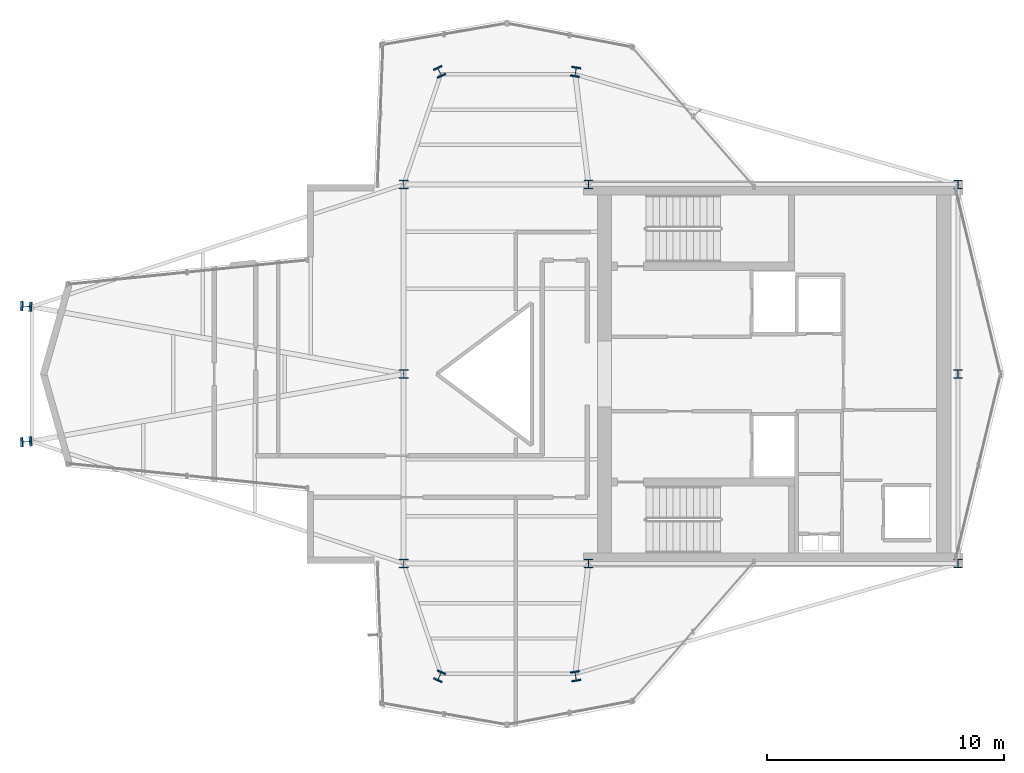
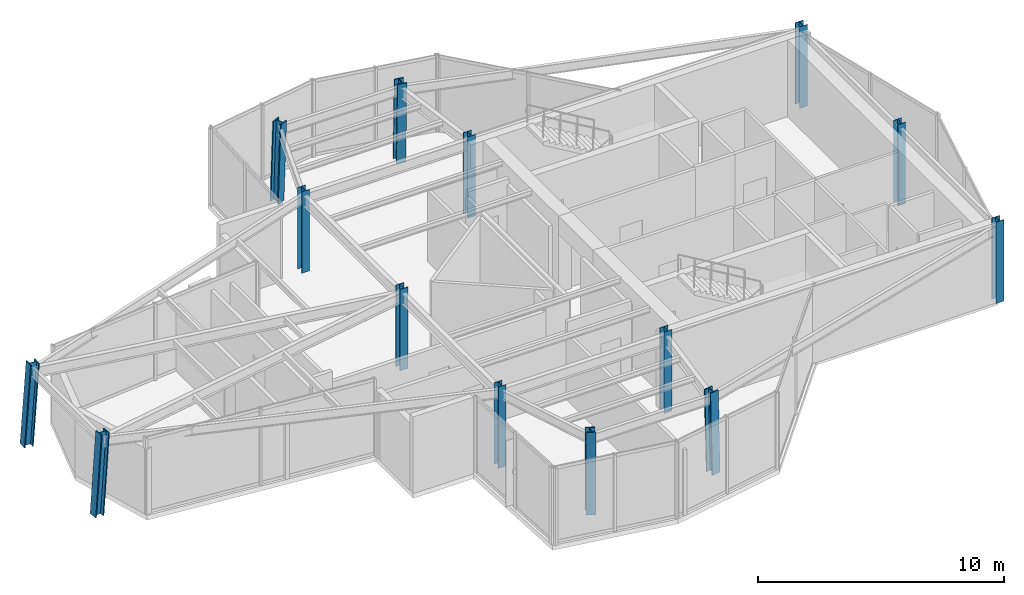
# One storey, part 1 of 13: 14 columns.
"""IFC4 building model written with IfcOpenShell, lengths in metres."""

from ifc_helpers import new_model, si_unit, direction, frame, origin, origin_2d, place, context, subcontext, project, spatial, i_section, extrude, material, material_profile, profile_set, type_object, element, save


model = new_model("IFC4")

# Units and contexts
model_context = context("Model", 3, precision=1e-05, world=origin(), true_north=direction((0.0, 1.0)))
body_context = subcontext(model_context, "Body", "Model", "MODEL_VIEW")
ifc_project = project(units=[si_unit("LENGTHUNIT", "METRE"), si_unit("AREAUNIT", "SQUARE_METRE"), si_unit("VOLUMEUNIT", "CUBIC_METRE"), si_unit("PLANEANGLEUNIT", "RADIAN"), si_unit("MASSUNIT", "GRAM", prefix="KILO")], contexts=[model_context])

# Site, building, storey
site_placement = place(None, origin())
site = spatial("IfcSite", under=ifc_project, at=site_placement, CompositionType="ELEMENT")
building_placement = place(site_placement, origin())
building = spatial("IfcBuilding", under=site, at=building_placement, Name="Veymaron Broadcast Tower", CompositionType="ELEMENT")
storey_placement = place(building_placement, frame((0.0, 0.0, 274.949951171875)))
storey = spatial("IfcBuildingStorey", under=building, at=storey_placement, Name="L64", CompositionType="ELEMENT", Elevation=274.949951171875)

# Columns
ifc_material_1 = material(Name="Structural steel ASTM A992 Gr 50", Category="steel")
ifc_material_profile_1 = material_profile(ifc_material_1, i_section(OverallWidth=0.373046875, OverallDepth=0.367919921875, WebThickness=0.014892578125, FlangeThickness=0.02392578125, at=origin_2d()), Name="W360X179")
ifc_profile_set_1 = profile_set([ifc_material_profile_1], Name="Structural steel ASTM A992 Gr 50")
column_type_1 = type_object("IfcColumnType", Name="COL-HC4", PredefinedType="COLUMN", material=ifc_profile_set_1)
for number, where, z_axis, x_axis, name in (
    (1, (31.199951171875, 16.0, 0.0), (0.0, 0.0, 1.0), (1.0, 0.0, 0.0), "L64 structural hub and core column"),
    (2, (31.199951171875, 24.0, 0.0), (0.0, 0.0, 1.0), (1.0, 0.0, 0.0), "L64 structural hub and core column"),
    (3, (31.199951171875, 32.0, 0.0), (0.0, 0.0, 1.0), (1.0, 0.0, 0.0), "L64 structural hub and core column"),
    (4, (39.0, 16.0, 0.0), (0.0, 0.0, 1.0), (1.0, 0.0, 0.0), "L64 structural hub and core column"),
    (5, (39.0, 32.0, 0.0), (0.0, 0.0, 1.0), (1.0, 0.0, 0.0), "L64 structural hub and core column"),
    (6, (54.60009765625, 16.0, 0.0), (0.0, 0.0, 1.0), (1.0, 0.0, 0.0), "L64 structural hub and core column"),
    (7, (54.60009765625, 24.0, 0.0), (0.0, 0.0, 1.0), (1.0, 0.0, 0.0), "L64 structural hub and core column"),
    (8, (54.60009765625, 32.0, 0.0), (0.0, 0.0, 1.0), (1.0, 0.0, 0.0), "L64 structural hub and core column"),
):
    element("IfcColumn", number, at=place(storey_placement, frame(where, z_axis=z_axis, x_axis=x_axis)), inside=storey, type_object=column_type_1, Name=name, PredefinedType="COLUMN", context=body_context, shape_type="SweptSolid", body=[
        extrude(i_section(OverallWidth=0.373046875, OverallDepth=0.367919921875, WebThickness=0.014892578125, FlangeThickness=0.02392578125, at=origin_2d()), origin(), (0.0, 0.0, 1.0), 4.0439453125),
    ])
ifc_material_2 = material(Name="Structural steel ASTM A913 Gr 65", Category="steel")
ifc_material_profile_2 = material_profile(ifc_material_2, i_section(OverallWidth=0.406005859375, OverallDepth=0.416015625, WebThickness=0.02978515625, FlangeThickness=0.048095703125, at=origin_2d()), Name="W360X382")
ifc_profile_set_2 = profile_set([ifc_material_profile_2], Name="Structural steel ASTM A913 Gr 65")
column_type_2 = type_object("IfcColumnType", Name="COL-MC4", PredefinedType="COLUMN", material=ifc_profile_set_2)
for number, where, z_axis, x_axis, name in (
    (9, (15.224365234375, 21.137939453125, 0.01611328125), (0.068561985202, 0.004970895479, 0.997634474336), (-0.072312401922, 0.997382031384, 0.0), "L64 Tapered Wing Mega Column"),
    (10, (15.224365234375, 26.862060546875, 0.01611328125), (0.068561985202, -0.004970895479, 0.997634474336), (0.072312401922, 0.997382031384, 0.0), "L64 Tapered Wing Mega Column"),
):
    element("IfcColumn", number, at=place(storey_placement, frame(where, z_axis=z_axis, x_axis=x_axis)), inside=storey, type_object=column_type_2, Name=name, PredefinedType="COLUMN", context=body_context, shape_type="SweptSolid", body=[
        extrude(i_section(OverallWidth=0.406005859375, OverallDepth=0.416015625, WebThickness=0.02978515625, FlangeThickness=0.048095703125, at=origin_2d()), origin(), (0.0, 0.0, 1.0), 4.02734375),
    ])
column_1_placement = place(storey_placement, frame((32.706298828125, 36.77197265625, 0.01611328125), z_axis=(0.013968236766, -0.029819148922, 0.999457706318), x_axis=(0.905569653976, 0.424197597586, 0.0)))
element("IfcColumn", 11, at=column_1_placement, inside=storey, type_object=column_type_2, Name="L64 Tapered Wing Mega Column", PredefinedType="COLUMN", context=body_context, shape_type="SweptSolid", body=[
    extrude(i_section(OverallWidth=0.406005859375, OverallDepth=0.416015625, WebThickness=0.02978515625, FlangeThickness=0.048095703125, at=origin_2d()), origin(), (0.0, 0.0, 1.0), 4.02001953125),
])
column_2_placement = place(storey_placement, frame((38.4619140625, 36.77197265625, 0.01611328125), z_axis=(-0.004980404192, -0.029821688517, 0.99954282673), x_axis=(0.986339577116, -0.164724735893, 0.0)))
element("IfcColumn", 12, at=column_2_placement, inside=storey, type_object=column_type_2, Name="L64 Tapered Wing Mega Column", PredefinedType="COLUMN", context=body_context, shape_type="SweptSolid", body=[
    extrude(i_section(OverallWidth=0.406005859375, OverallDepth=0.416015625, WebThickness=0.02978515625, FlangeThickness=0.048095703125, at=origin_2d()), origin(), (0.0, 0.0, 1.0), 4.019775390625),
])
column_3_placement = place(storey_placement, frame((32.706298828125, 11.22802734375, 0.01611328125), z_axis=(0.013968236766, 0.029819148922, 0.999457706318), x_axis=(-0.905569653976, 0.424197597586, 0.0)))
element("IfcColumn", 13, at=column_3_placement, inside=storey, type_object=column_type_2, Name="L64 Tapered Wing Mega Column", PredefinedType="COLUMN", context=body_context, shape_type="SweptSolid", body=[
    extrude(i_section(OverallWidth=0.406005859375, OverallDepth=0.416015625, WebThickness=0.02978515625, FlangeThickness=0.048095703125, at=origin_2d()), origin(), (0.0, 0.0, 1.0), 4.02001953125),
])
column_4_placement = place(storey_placement, frame((38.4619140625, 11.22802734375, 0.01611328125), z_axis=(-0.004980404192, 0.029821688517, 0.99954282673), x_axis=(-0.986339577116, -0.164724735893, 0.0)))
element("IfcColumn", 14, at=column_4_placement, inside=storey, type_object=column_type_2, Name="L64 Tapered Wing Mega Column", PredefinedType="COLUMN", context=body_context, shape_type="SweptSolid", body=[
    extrude(i_section(OverallWidth=0.406005859375, OverallDepth=0.416015625, WebThickness=0.02978515625, FlangeThickness=0.048095703125, at=origin_2d()), origin(), (0.0, 0.0, 1.0), 4.019775390625),
])

save(model, "model.ifc")
